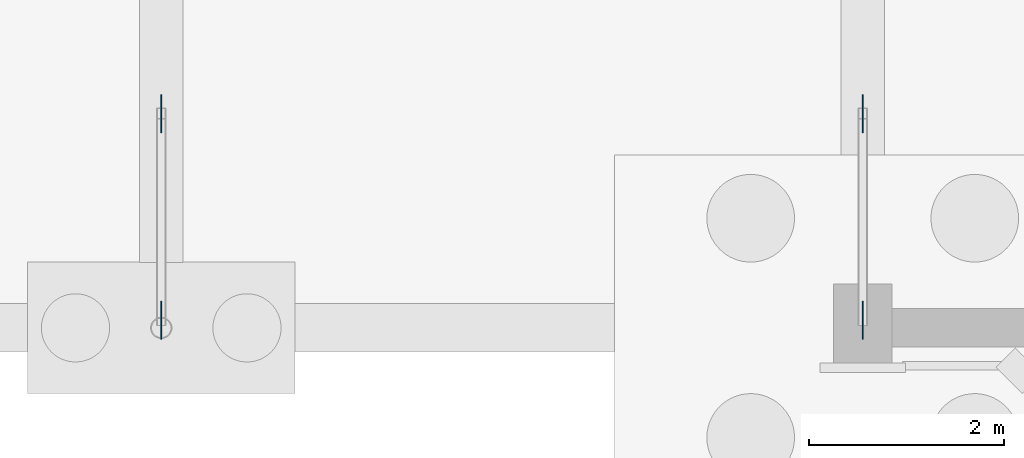
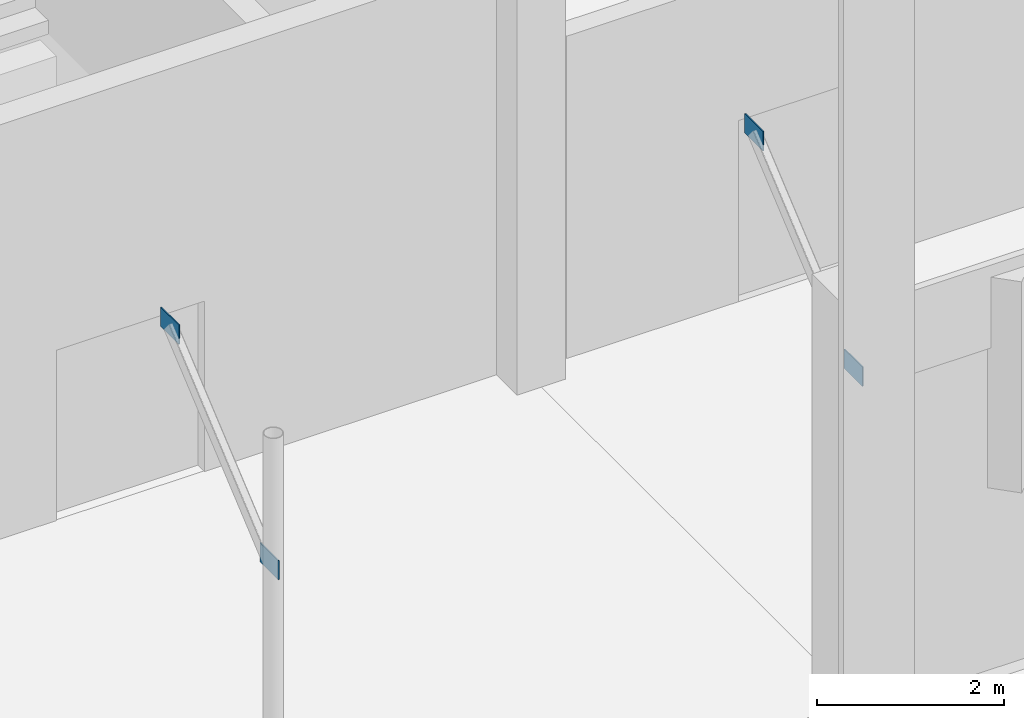
# One storey, part 81 of 109: 4 plates.
"""IFC4 building model written with IfcOpenShell, lengths in metres."""

from ifc_helpers import new_model, si_unit, direction, frame, origin, origin_2d, place, context, subcontext, project, spatial, rectangle, extrude, material, layer, layer_set, type_object, element, save


model = new_model("IFC4")

# Units and contexts
model_context = context("Model", 3, precision=1e-05, world=origin(), true_north=direction((0.0, 1.0)))
body_context = subcontext(model_context, "Body", "Model", "MODEL_VIEW")
ifc_project = project(units=[si_unit("LENGTHUNIT", "METRE"), si_unit("AREAUNIT", "SQUARE_METRE"), si_unit("VOLUMEUNIT", "CUBIC_METRE"), si_unit("PLANEANGLEUNIT", "RADIAN"), si_unit("MASSUNIT", "GRAM", prefix="KILO")], contexts=[model_context])

# Site, building, storey
site_placement = place(None, origin())
site = spatial("IfcSite", under=ifc_project, at=site_placement, CompositionType="ELEMENT")
building_placement = place(site_placement, origin())
building = spatial("IfcBuilding", under=site, at=building_placement, Name="Lusvemor Sports Hall", CompositionType="ELEMENT")
storey_placement = place(building_placement, origin())
storey = spatial("IfcBuildingStorey", under=building, at=storey_placement, Name="L00", CompositionType="ELEMENT", Elevation=0.0)

# Plates
ifc_material = material(Name="Steel S355", Category="steel")
ifc_layer = layer(ifc_material, 0.013916015625)
ifc_layer_set = layer_set([ifc_layer], Name="Steel S355")
plate_type = type_object("IfcPlateType", Name="GUSSET_CANOPY_D", PredefinedType="USERDEFINED", material=ifc_layer_set)
for number, where, z_axis, x_axis, name in (
    (1, (111.60009765625, 0.080078125, 4.175048828125), (0.0, 0.0, 1.0), (1.0, 0.0, 0.0), "Canopy Connection Gusset 12-KF"),
    (2, (111.60009765625, 2.199951171875, 5.956787109375), (0.0, 0.0, 1.0), (1.0, 0.0, 0.0), "Canopy Connection Gusset 12-KH"),
    (3, (118.800048828125, 0.080078125, 4.175048828125), (0.0, 0.0, 1.0), (1.0, 0.0, 0.0), "Canopy Connection Gusset 13-KF"),
    (4, (118.800048828125, 2.199951171875, 5.956787109375), (0.0, 0.0, 1.0), (1.0, 0.0, 0.0), "Canopy Connection Gusset 13-KH"),
):
    element("IfcPlate", number, at=place(storey_placement, frame(where, z_axis=z_axis, x_axis=x_axis)), inside=storey, type_object=plate_type, Name=name, ObjectType="GUSSET_PLATE", PredefinedType="USERDEFINED", context=body_context, shape_type="SweptSolid", body=[
        extrude(rectangle(XDim=0.013916015625, YDim=0.389892578125, at=origin_2d()), origin(), (0.0, 0.0, 1.0), 0.25),
    ])

save(model, "model.ifc")
